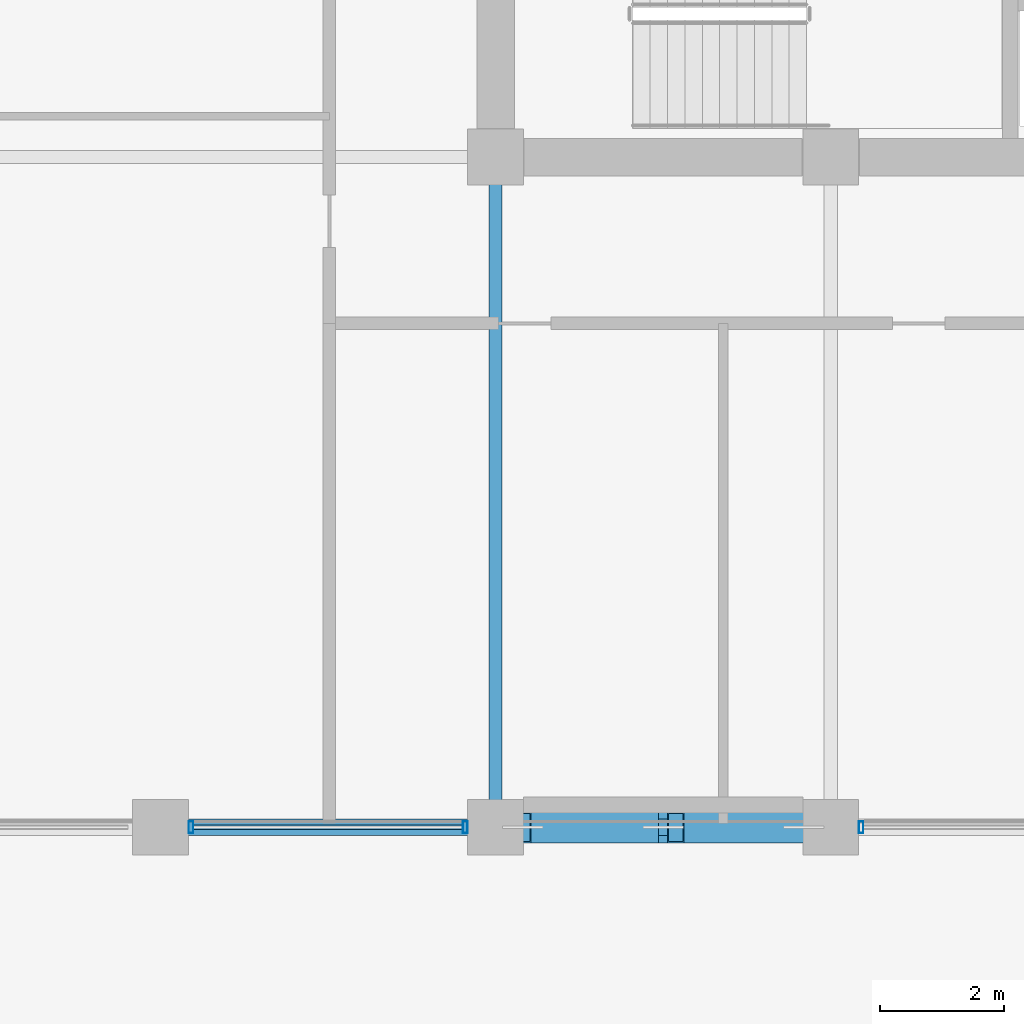
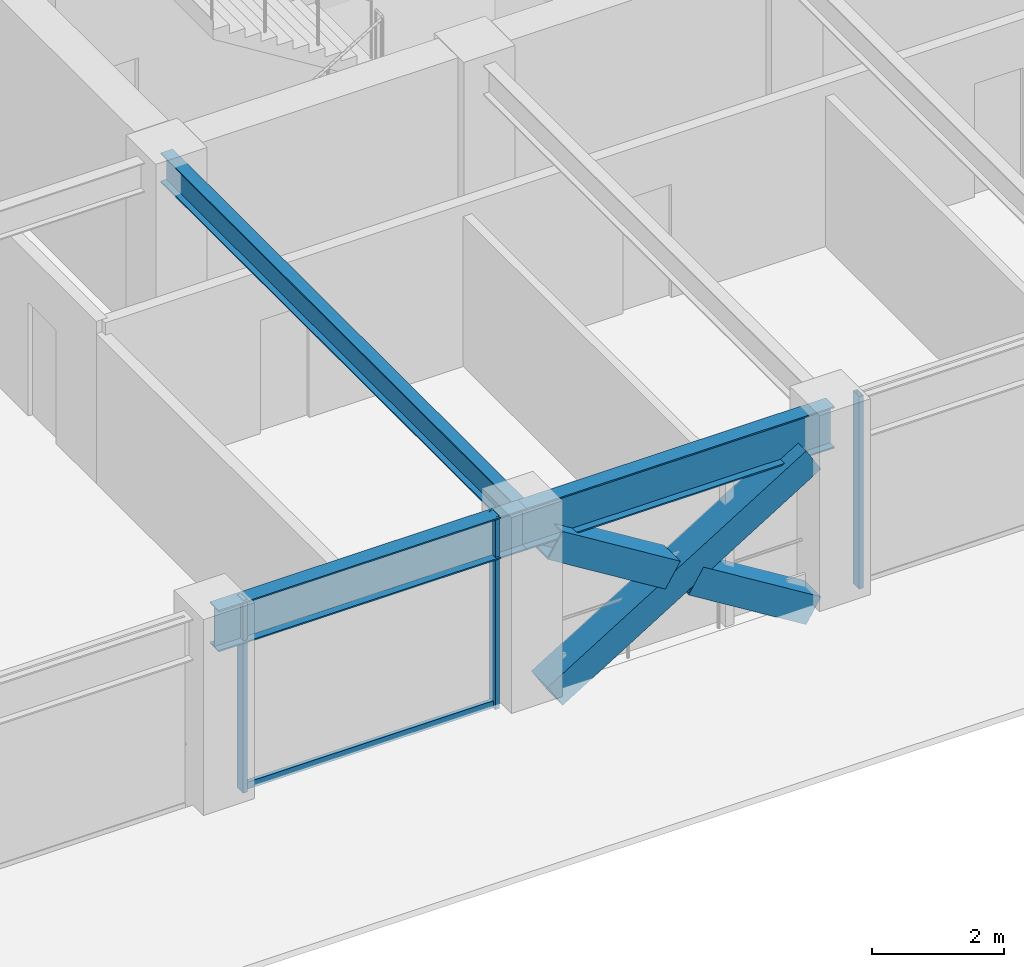
# One storey, part 5 of 36: 7 members, 3 beams, 2 elements without a shape of their own.
"""IFC4 building model written with IfcOpenShell, lengths in metres."""

from ifc_helpers import new_model, si_unit, direction, frame, origin, origin_2d, place, context, subcontext, project, spatial, hollow_rectangle, i_section, extrude, material, layer, layer_set, material_profile, profile_set, type_object, element, aggregate, save


model = new_model("IFC4")

# Units and contexts
model_context = context("Model", 3, precision=1e-05, world=origin(), true_north=direction((0.0, 1.0)))
body_context = subcontext(model_context, "Body", "Model", "MODEL_VIEW")
ifc_project = project(units=[si_unit("LENGTHUNIT", "METRE"), si_unit("AREAUNIT", "SQUARE_METRE"), si_unit("VOLUMEUNIT", "CUBIC_METRE"), si_unit("PLANEANGLEUNIT", "RADIAN"), si_unit("MASSUNIT", "GRAM", prefix="KILO")], contexts=[model_context])

# Site, building, storey
site_placement = place(None, origin())
site = spatial("IfcSite", under=ifc_project, at=site_placement, CompositionType="ELEMENT")
building_placement = place(site_placement, origin())
building = spatial("IfcBuilding", under=site, at=building_placement, Name="Surkhivell Harbour Commons", CompositionType="ELEMENT")
storey_placement = place(building_placement, frame((0.0, 0.0, 171.0)))
storey = spatial("IfcBuildingStorey", under=building, at=storey_placement, Name="L44", CompositionType="ELEMENT", Elevation=171.0)

# Beams
ifc_material_1 = material(Name="Steel S355", Category="steel")
ifc_material_profile_1 = material_profile(ifc_material_1, i_section(OverallWidth=0.2119140625, OverallDepth=0.5439453125, WebThickness=0.0126953125, FlangeThickness=0.021240234375, at=origin_2d()), Name="UB533x210x122")
ifc_profile_set_1 = profile_set([ifc_material_profile_1], Name="Steel S355")
beam_type_1 = type_object("IfcBeamType", Name="BM-GRD-533A", PredefinedType="BEAM", material=ifc_profile_set_1)
beam_1_placement = place(storey_placement, frame((-10.800048828125, -21.60009765625, 3.298095703125), z_axis=(0.0, 1.0, 0.0), x_axis=(-1.0, 0.0, 0.0)))
element("IfcBeam", 1, at=beam_1_placement, inside=storey, type_object=beam_type_1, Name="L44 Floor Girder (-10.8,-21.6)", PredefinedType="BEAM", context=body_context, shape_type="SweptSolid", body=[
    extrude(i_section(OverallWidth=0.2119140625, OverallDepth=0.5439453125, WebThickness=0.0126953125, FlangeThickness=0.021240234375, at=origin_2d()), origin(), (0.0, 0.0, 1.0), 10.800048828125),
])
ifc_material_profile_2 = material_profile(ifc_material_1, i_section(OverallWidth=0.26806640625, OverallDepth=0.77001953125, WebThickness=0.015625, FlangeThickness=0.025390625, at=origin_2d()), Name="UB762x267x197")
ifc_profile_set_2 = profile_set([ifc_material_profile_2], Name="Steel S355")
beam_type_2 = type_object("IfcBeamType", Name="BM-SPN-762", PredefinedType="SPANDREL", material=ifc_profile_set_2)
beam_2_placement = place(storey_placement, frame((-16.199951171875, -21.60009765625, 3.18505859375), z_axis=(1.0, 0.0, 0.0), x_axis=(0.0, 1.0, 0.0)))
element("IfcBeam", 2, at=beam_2_placement, inside=storey, type_object=beam_type_2, Name="L44 Tube Spandrel (-16.2,-21.6)", PredefinedType="SPANDREL", context=body_context, shape_type="SweptSolid", body=[
    extrude(i_section(OverallWidth=0.26806640625, OverallDepth=0.77001953125, WebThickness=0.015625, FlangeThickness=0.025390625, at=origin_2d()), origin(), (0.0, 0.0, 1.0), 5.39990234375),
])
beam_3_placement = place(storey_placement, frame((-10.800048828125, -21.60009765625, 3.18505859375), z_axis=(1.0, 0.0, 0.0), x_axis=(0.0, 1.0, 0.0)))
element("IfcBeam", 3, at=beam_3_placement, inside=storey, type_object=beam_type_2, Name="L44 Tube Spandrel (-10.8,-21.6)", PredefinedType="SPANDREL", context=body_context, shape_type="SweptSolid", body=[
    extrude(i_section(OverallWidth=0.26806640625, OverallDepth=0.77001953125, WebThickness=0.015625, FlangeThickness=0.025390625, at=origin_2d()), origin(), (0.0, 0.0, 1.0), 5.400146484375),
])

# Curtain wall, members
ifc_material_2 = material(Name="Anodised pale-metal aluminium and insulated glazing", Category="aluminium")
ifc_layer = layer(ifc_material_2, 0.18994140625)
ifc_layer_set = layer_set([ifc_layer], Name="Anodised pale-metal aluminium and insulated glazing")
curtain_wall_type = type_object("IfcCurtainWallType", Name="CW-SYS-Z3", PredefinedType="NOTDEFINED", material=ifc_layer_set)
curtain_wall_1_placement = place(storey_placement, origin())
curtain_wall_1 = element("IfcCurtainWall", 4, at=curtain_wall_1_placement, inside=storey, type_object=curtain_wall_type, Name="L44 Curtain Wall CW-L44-E00S1", PredefinedType="NOTDEFINED")
ifc_material_3 = material(Name="Anodised pale-metal aluminium alloy 6063-T6", Category="aluminium")
ifc_material_profile_3 = material_profile(ifc_material_3, hollow_rectangle(XDim=0.074951171875, YDim=0.18994140625, WallThickness=0.00390625, at=origin_2d()), Name="ALU-MULL-75x190")
ifc_profile_set_3 = profile_set([ifc_material_profile_3], Name="Anodised pale-metal aluminium alloy 6063-T6")
member_type_1 = type_object("IfcMemberType", Name="CWM-190", PredefinedType="MULLION", material=ifc_profile_set_3)
member_1_placement = place(storey_placement, frame((-15.71044921875, -21.60009765625, 0.0), z_axis=(0.0, 0.0, 1.0), x_axis=(1.0, 0.0, 0.0)))
member_1 = element("IfcMember", 5, at=member_1_placement, type_object=member_type_1, Name="CW-Z3 mullion 2", PredefinedType="MULLION", context=body_context, shape_type="SweptSolid", body=[
    extrude(hollow_rectangle(XDim=0.074951171875, YDim=0.18994140625, WallThickness=0.00390625, at=origin_2d()), origin(), (0.0, 0.0, 1.0), 3.570068359375),
])
member_2_placement = place(storey_placement, frame((-11.28955078125, -21.60009765625, 0.0), z_axis=(0.0, 0.0, 1.0), x_axis=(1.0, 0.0, 0.0)))
member_2 = element("IfcMember", 6, at=member_2_placement, type_object=member_type_1, Name="CW-Z3 mullion 3", PredefinedType="MULLION", context=body_context, shape_type="SweptSolid", body=[
    extrude(hollow_rectangle(XDim=0.074951171875, YDim=0.18994140625, WallThickness=0.00390625, at=origin_2d()), origin(), (0.0, 0.0, 1.0), 3.570068359375),
])

# Curtain wall, member
curtain_wall_2_placement = place(storey_placement, origin())
curtain_wall_2 = element("IfcCurtainWall", 7, at=curtain_wall_2_placement, inside=storey, type_object=curtain_wall_type, Name="L44 Curtain Wall CW-L44-E00S2", PredefinedType="NOTDEFINED")
member_3_placement = place(storey_placement, frame((-4.910400390625, -21.60009765625, 0.0), z_axis=(0.0, 0.0, 1.0), x_axis=(1.0, 0.0, 0.0)))
member_3 = element("IfcMember", 8, at=member_3_placement, type_object=member_type_1, Name="CW-Z3 mullion 1", PredefinedType="MULLION", context=body_context, shape_type="SweptSolid", body=[
    extrude(hollow_rectangle(XDim=0.074951171875, YDim=0.18994140625, WallThickness=0.00390625, at=origin_2d()), origin(), (0.0, 0.0, 1.0), 3.570068359375),
])
aggregate(curtain_wall_2, [member_3])

# Member
ifc_material_4 = material(Name="Champagne anodised aluminium alloy 6063-T6", Category="aluminium")
ifc_material_profile_4 = material_profile(ifc_material_4, hollow_rectangle(XDim=0.070068359375, YDim=0.1298828125, WallThickness=0.00341796875, at=origin_2d()), Name="ALU-TRAN-70x130")
ifc_profile_set_4 = profile_set([ifc_material_profile_4], Name="Champagne anodised aluminium alloy 6063-T6")
member_type_2 = type_object("IfcMemberType", Name="CWT-130", PredefinedType="USERDEFINED", material=ifc_profile_set_4)
member_4_placement = place(storey_placement, frame((-15.673095703125, -21.60009765625, 0.06494140625), z_axis=(1.0, 0.0, 0.0), x_axis=(0.0, 1.0, 0.0)))
member_4 = element("IfcMember", 9, at=member_4_placement, type_object=member_type_2, Name="CW-Z3 transom 2.1", ObjectType="TRANSOM", PredefinedType="USERDEFINED", context=body_context, shape_type="SweptSolid", body=[
    extrude(hollow_rectangle(XDim=0.070068359375, YDim=0.1298828125, WallThickness=0.00341796875, at=origin_2d()), origin(), (0.0, 0.0, 1.0), 4.34619140625),
])

aggregate(curtain_wall_1, [member_1, member_2, member_4])

# Members
ifc_material_5 = material(Name="Steel S460", Category="steel")
ifc_material_profile_5 = material_profile(ifc_material_5, hollow_rectangle(XDim=0.5, YDim=0.5, WallThickness=0.02490234375, at=origin_2d()), Name="SHS500x500x25")
ifc_profile_set_5 = profile_set([ifc_material_profile_5], Name="Steel S460")
member_type_3 = type_object("IfcMemberType", Name="MEM-BRC-SHS500", PredefinedType="BRACE", material=ifc_profile_set_5)
member_5_placement = place(storey_placement, frame((-10.364990234375, -21.60009765625, 0.008056640625), z_axis=(0.850971032488, 0.0, 0.525212625387), x_axis=(0.0, 1.0, 0.0)))
element("IfcMember", 10, at=member_5_placement, inside=storey, type_object=member_type_3, Name="L44 Perimeter Mega-Brace MB- 07", PredefinedType="BRACE", context=body_context, shape_type="SweptSolid", body=[
    extrude(hollow_rectangle(XDim=0.5, YDim=0.5, WallThickness=0.02490234375, at=origin_2d()), origin(), (0.0, 0.0, 1.0), 5.323486328125),
])
for number, where, z_axis, x_axis, name in (
    (11, (-5.8349609375, -21.60009765625, 0.008056640625), (-0.8510034189, 0.0, 0.525160147974), (0.0, -1.0, 0.0), "L44 Perimeter Mega-Brace MB- 08"),
    (12, (-8.30419921875, -21.60009765625, 1.531982421875), (-0.850958361341, 0.0, 0.525233155146), (0.0, -1.0, 0.0), "L44 Perimeter Mega-Brace MB- 09"),
):
    element("IfcMember", number, at=place(storey_placement, frame(where, z_axis=z_axis, x_axis=x_axis)), inside=storey, type_object=member_type_3, Name=name, PredefinedType="BRACE", context=body_context, shape_type="SweptSolid", body=[
        extrude(hollow_rectangle(XDim=0.5, YDim=0.5, WallThickness=0.02490234375, at=origin_2d()), origin(), (0.0, 0.0, 1.0), 2.421630859375),
    ])

save(model, "model.ifc")
